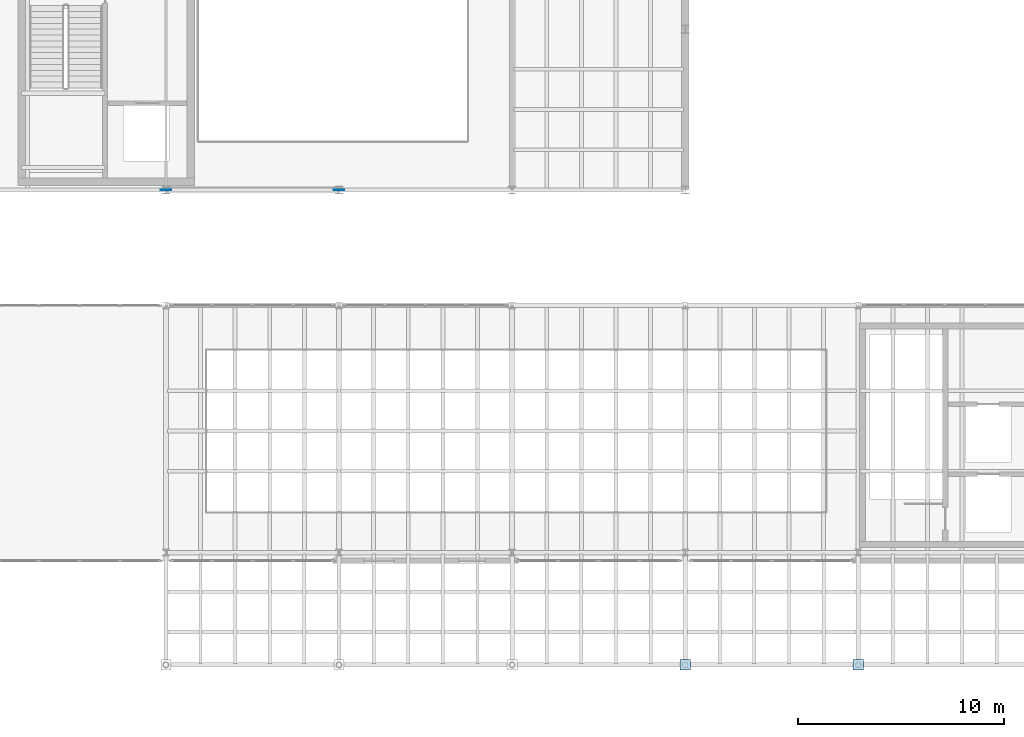
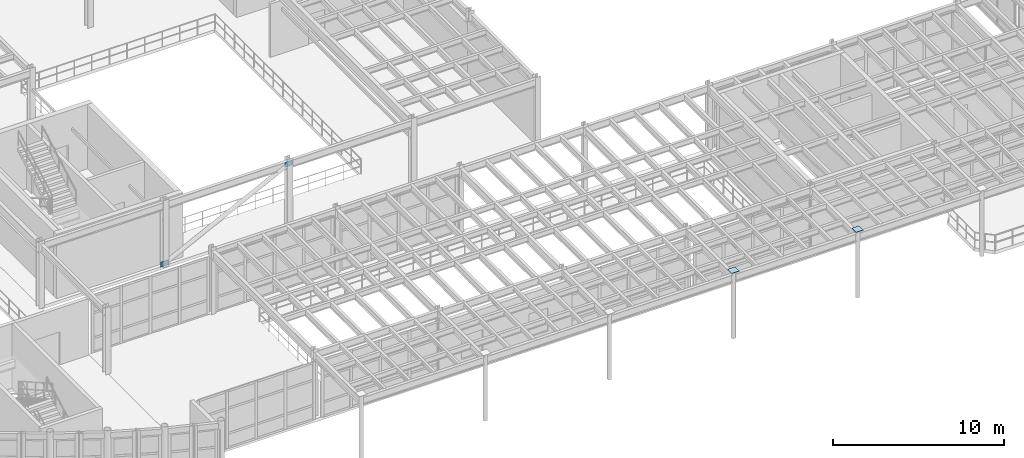
# One storey, part 84 of 105: 4 plates.
"""IFC4 building model written with IfcOpenShell, lengths in metres."""

from ifc_helpers import new_model, si_unit, direction, frame, origin, origin_2d, place, context, subcontext, project, spatial, rectangle, extrude, material, layer, layer_set, type_object, element, save


model = new_model("IFC4")

# Units and contexts
model_context = context("Model", 3, precision=1e-05, world=origin(), true_north=direction((0.0, 1.0)))
body_context = subcontext(model_context, "Body", "Model", "MODEL_VIEW")
ifc_project = project(units=[si_unit("LENGTHUNIT", "METRE"), si_unit("AREAUNIT", "SQUARE_METRE"), si_unit("VOLUMEUNIT", "CUBIC_METRE"), si_unit("PLANEANGLEUNIT", "RADIAN"), si_unit("MASSUNIT", "GRAM", prefix="KILO")], contexts=[model_context])

# Site, building, storey
site_placement = place(None, origin())
site = spatial("IfcSite", under=ifc_project, at=site_placement, CompositionType="ELEMENT")
building_placement = place(site_placement, origin())
building = spatial("IfcBuilding", under=site, at=building_placement, Name="Selat Folded Stagehouse", CompositionType="ELEMENT")
storey_placement = place(building_placement, frame((0.0, 0.0, 10.199951171875)))
storey = spatial("IfcBuildingStorey", under=building, at=storey_placement, Name="L02", CompositionType="ELEMENT", Elevation=10.199951171875)

# Plates
ifc_material = material(Name="Steel S355", Category="steel")
ifc_layer_1 = layer(ifc_material, 0.02490234375)
ifc_layer_set_1 = layer_set([ifc_layer_1], Name="Steel S355")
plate_type_1 = type_object("IfcPlateType", Name="PLT-BASE-500x500x25", PredefinedType="USERDEFINED", material=ifc_layer_set_1)
for number, where, z_axis, x_axis, name in (
    (1, (67.199951171875, 0.35009765625, 4.800048828125), (0.0, 0.0, 1.0), (1.0, 0.0, 0.0), "Hollow column end cap plate STK-COLPOST-67"),
    (2, (75.60009765625, 0.35009765625, 4.800048828125), (0.0, 0.0, 1.0), (1.0, 0.0, 0.0), "Hollow column end cap plate STK-COLPOST-75"),
):
    element("IfcPlate", number, at=place(storey_placement, frame(where, z_axis=z_axis, x_axis=x_axis)), inside=storey, type_object=plate_type_1, Name=name, ObjectType="BASE_PLATE", PredefinedType="USERDEFINED", context=body_context, shape_type="SweptSolid", body=[
        extrude(rectangle(XDim=0.5, YDim=0.5, at=origin_2d()), origin(), (0.0, 0.0, 1.0), 0.02490234375),
    ])
ifc_layer_2 = layer(ifc_material, 0.01806640625)
ifc_layer_set_2 = layer_set([ifc_layer_2], Name="Steel S355")
plate_type_2 = type_object("IfcPlateType", Name="PLT-GUSSET-520x360x18", PredefinedType="USERDEFINED", material=ifc_layer_set_2)
for number, where, z_axis, x_axis, name in (
    (3, (42.0, 23.39990234375, -0.02978515625), (0.0, 0.0, 1.0), (1.0, 0.0, 0.0), "L02 VBR-03 end gusset plate 53"),
    (4, (50.39990234375, 23.39990234375, 4.169921875), (0.0, 0.0, 1.0), (1.0, 0.0, 0.0), "L02 VBR-03 end gusset plate 54"),
):
    element("IfcPlate", number, at=place(storey_placement, frame(where, z_axis=z_axis, x_axis=x_axis)), inside=storey, type_object=plate_type_2, Name=name, ObjectType="GUSSET_PLATE", PredefinedType="USERDEFINED", context=body_context, shape_type="SweptSolid", body=[
        extrude(rectangle(XDim=0.52001953125, YDim=0.01806640625, at=origin_2d()), origin(), (0.0, 0.0, 1.0), 0.360107421875),
    ])

save(model, "model.ifc")
